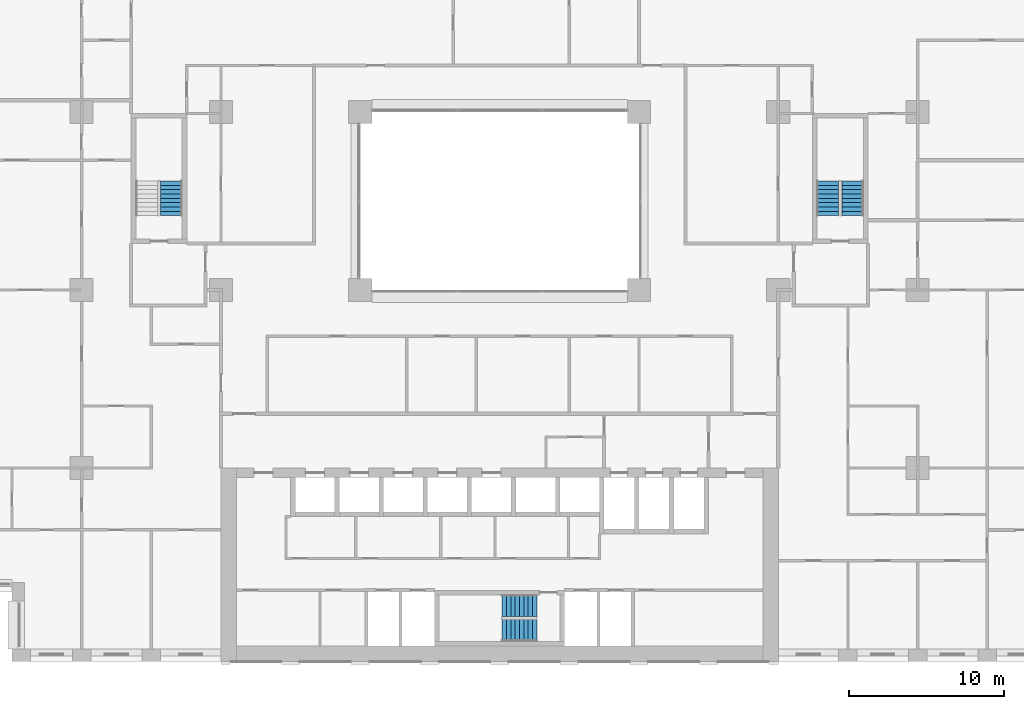
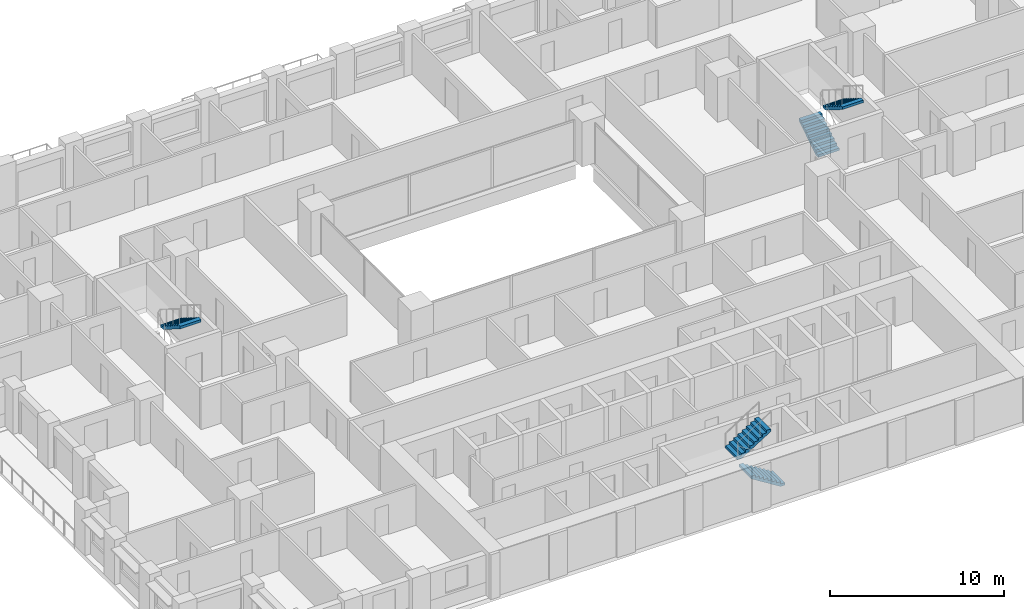
# One storey, part 19 of 21: 5 stair flights, 3 elements without a shape of their own.
"""IFC4 building model written with IfcOpenShell, lengths in metres."""

from ifc_helpers import new_model, si_unit, direction, frame, origin, place, context, subcontext, project, spatial, polyline, outline, extrude, material, type_object, element, aggregate, save


model = new_model("IFC4")

# Units and contexts
model_context = context("Model", 3, precision=1e-05, world=origin(), true_north=direction((0.0, 1.0)))
body_context = subcontext(model_context, "Body", "Model", "MODEL_VIEW")
ifc_project = project(units=[si_unit("LENGTHUNIT", "METRE"), si_unit("AREAUNIT", "SQUARE_METRE"), si_unit("VOLUMEUNIT", "CUBIC_METRE"), si_unit("PLANEANGLEUNIT", "RADIAN"), si_unit("MASSUNIT", "GRAM", prefix="KILO")], contexts=[model_context])

# Site, building, storey
site_placement = place(None, origin())
site = spatial("IfcSite", under=ifc_project, at=site_placement, CompositionType="ELEMENT")
building_placement = place(site_placement, origin())
building = spatial("IfcBuilding", under=site, at=building_placement, Name="Brigalow Station Residences", CompositionType="ELEMENT")
storey_placement = place(building_placement, frame((0.0, 0.0, 47.85009765625)))
storey = spatial("IfcBuildingStorey", under=building, at=storey_placement, Name="L13", CompositionType="ELEMENT", Elevation=47.85009765625)

# Stair, stair flights
ifc_material_1 = material(Name="Concrete C50", Category="concrete")
stair_type = type_object("IfcStairType", Name="EXIT STAIR 1400 2 FLIGHT", PredefinedType="HALF_TURN_STAIR", material=ifc_material_1)
stair_1_placement = place(storey_placement, origin())
stair_1 = element("IfcStair", 1, at=stair_1_placement, inside=storey, type_object=stair_type, Name="EXIT STAIR S2 L13", PredefinedType="HALF_TURN_STAIR")
ifc_material_2 = material(Name="Concrete C50", Category="concrete")
stair_flight_type = type_object("IfcStairFlightType", Name="STAIR FLIGHT 1400", PredefinedType="STRAIGHT", material=ifc_material_2)
stair_flight_1_placement = place(storey_placement, frame((38.39990234375, 2.0, 0.0), z_axis=(0.0, 0.0, 1.0), x_axis=(-1.0, 0.0, 0.0)))
stair_flight_1 = element("IfcStairFlight", 2, at=stair_flight_1_placement, type_object=stair_flight_type, Name="ST-2 flight 1", NumberOfRisers=9, NumberOfTreads=8, PredefinedType="STRAIGHT", RiserHeight=0.175, TreadLength=0.28, context=body_context, shape_type="SweptSolid", body=[
    extrude(outline(polyline([(0.0, 0.0), (0.0, 0.175048828125), (0.280029296875, 0.175048828125), (0.280029296875, 0.35009765625), (0.56005859375, 0.35009765625), (0.56005859375, 0.52490234375), (0.840087890625, 0.52490234375), (0.840087890625, 0.699951171875), (1.1201171875, 0.699951171875), (1.1201171875, 0.875), (1.39990234375, 0.875), (1.39990234375, 1.050048828125), (1.679931640625, 1.050048828125), (1.679931640625, 1.22509765625), (1.9599609375, 1.22509765625), (1.9599609375, 1.39990234375), (2.239990234375, 1.39990234375), (2.239990234375, 1.574951171875), (2.239990234375, 1.22314453125), (0.28271484375, 0.0), (0.0, 0.0)])), frame((0.0, 0.699951171875, 0.0), z_axis=(0.0, -1.0, 0.0), x_axis=(1.0, 0.0, 0.0)), (0.0, 0.0, 1.0), 1.39990234375),
])
stair_flight_2_placement = place(storey_placement, frame((36.159912109375, 3.60009765625, 1.574951171875), z_axis=(0.0, 0.0, 1.0), x_axis=(1.0, 0.0, 0.0)))
stair_flight_2 = element("IfcStairFlight", 3, at=stair_flight_2_placement, type_object=stair_flight_type, Name="ST-2 flight 2", NumberOfRisers=9, NumberOfTreads=8, PredefinedType="STRAIGHT", RiserHeight=0.175, TreadLength=0.28, context=body_context, shape_type="SweptSolid", body=[
    extrude(outline(polyline([(0.0, 0.0), (0.0, 0.175048828125), (0.280029296875, 0.175048828125), (0.280029296875, 0.35009765625), (0.56005859375, 0.35009765625), (0.56005859375, 0.52490234375), (0.840087890625, 0.52490234375), (0.840087890625, 0.699951171875), (1.1201171875, 0.699951171875), (1.1201171875, 0.875), (1.39990234375, 0.875), (1.39990234375, 1.050048828125), (1.679931640625, 1.050048828125), (1.679931640625, 1.22509765625), (1.9599609375, 1.22509765625), (1.9599609375, 1.39990234375), (2.239990234375, 1.39990234375), (2.239990234375, 1.574951171875), (2.239990234375, 1.22314453125), (0.28271484375, 0.0), (0.0, 0.0)])), frame((0.0, 0.699951171875, 0.0), z_axis=(0.0, -1.0, 0.0), x_axis=(1.0, 0.0, 0.0)), (0.0, 0.0, 1.0), 1.39990234375),
])
aggregate(stair_1, [stair_flight_1, stair_flight_2])

# Stair, stair flight
stair_2_placement = place(storey_placement, origin())
stair_2 = element("IfcStair", 4, at=stair_2_placement, inside=storey, type_object=stair_type, Name="EXIT STAIR S1 L13", PredefinedType="HALF_TURN_STAIR")
stair_flight_3_placement = place(storey_placement, frame((14.800048828125, 31.0400390625, 1.574951171875), z_axis=(0.0, 0.0, 1.0), x_axis=(0.0, -1.0, 0.0)))
stair_flight_3 = element("IfcStairFlight", 5, at=stair_flight_3_placement, type_object=stair_flight_type, Name="ST-1 flight 2", NumberOfRisers=9, NumberOfTreads=8, PredefinedType="STRAIGHT", RiserHeight=0.175, TreadLength=0.28, context=body_context, shape_type="SweptSolid", body=[
    extrude(outline(polyline([(0.0, 0.0), (0.0, 0.175048828125), (0.280029296875, 0.175048828125), (0.280029296875, 0.35009765625), (0.56005859375, 0.35009765625), (0.56005859375, 0.52490234375), (0.840087890625, 0.52490234375), (0.840087890625, 0.699951171875), (1.1201171875, 0.699951171875), (1.1201171875, 0.875), (1.39990234375, 0.875), (1.39990234375, 1.050048828125), (1.679931640625, 1.050048828125), (1.679931640625, 1.22509765625), (1.9599609375, 1.22509765625), (1.9599609375, 1.39990234375), (2.239990234375, 1.39990234375), (2.239990234375, 1.574951171875), (2.239990234375, 1.22314453125), (0.28271484375, 0.0), (0.0, 0.0)])), frame((0.0, 0.699951171875, 0.0), z_axis=(0.0, -1.0, 0.0), x_axis=(1.0, 0.0, 0.0)), (0.0, 0.0, 1.0), 1.39990234375),
])
aggregate(stair_2, [stair_flight_3])

# Stair, stair flights
stair_3_placement = place(storey_placement, origin())
stair_3 = element("IfcStair", 6, at=stair_3_placement, inside=storey, type_object=stair_type, Name="EXIT STAIR S3 L13", PredefinedType="HALF_TURN_STAIR")
stair_flight_4_placement = place(storey_placement, frame((57.199951171875, 28.800048828125, 0.0), z_axis=(0.0, 0.0, 1.0), x_axis=(0.0, 1.0, 0.0)))
stair_flight_4 = element("IfcStairFlight", 7, at=stair_flight_4_placement, type_object=stair_flight_type, Name="ST-3 flight 1", NumberOfRisers=9, NumberOfTreads=8, PredefinedType="STRAIGHT", RiserHeight=0.175, TreadLength=0.28, context=body_context, shape_type="SweptSolid", body=[
    extrude(outline(polyline([(0.0, 0.0), (0.0, 0.175048828125), (0.280029296875, 0.175048828125), (0.280029296875, 0.35009765625), (0.56005859375, 0.35009765625), (0.56005859375, 0.52490234375), (0.840087890625, 0.52490234375), (0.840087890625, 0.699951171875), (1.1201171875, 0.699951171875), (1.1201171875, 0.875), (1.39990234375, 0.875), (1.39990234375, 1.050048828125), (1.679931640625, 1.050048828125), (1.679931640625, 1.22509765625), (1.9599609375, 1.22509765625), (1.9599609375, 1.39990234375), (2.239990234375, 1.39990234375), (2.239990234375, 1.574951171875), (2.239990234375, 1.22314453125), (0.28271484375, 0.0), (0.0, 0.0)])), frame((0.0, 0.699951171875, 0.0), z_axis=(0.0, -1.0, 0.0), x_axis=(1.0, 0.0, 0.0)), (0.0, 0.0, 1.0), 1.39990234375),
])
stair_flight_5_placement = place(storey_placement, frame((58.800048828125, 31.0400390625, 1.574951171875), z_axis=(0.0, 0.0, 1.0), x_axis=(0.0, -1.0, 0.0)))
stair_flight_5 = element("IfcStairFlight", 8, at=stair_flight_5_placement, type_object=stair_flight_type, Name="ST-3 flight 2", NumberOfRisers=9, NumberOfTreads=8, PredefinedType="STRAIGHT", RiserHeight=0.175, TreadLength=0.28, context=body_context, shape_type="SweptSolid", body=[
    extrude(outline(polyline([(0.0, 0.0), (0.0, 0.175048828125), (0.280029296875, 0.175048828125), (0.280029296875, 0.35009765625), (0.56005859375, 0.35009765625), (0.56005859375, 0.52490234375), (0.840087890625, 0.52490234375), (0.840087890625, 0.699951171875), (1.1201171875, 0.699951171875), (1.1201171875, 0.875), (1.39990234375, 0.875), (1.39990234375, 1.050048828125), (1.679931640625, 1.050048828125), (1.679931640625, 1.22509765625), (1.9599609375, 1.22509765625), (1.9599609375, 1.39990234375), (2.239990234375, 1.39990234375), (2.239990234375, 1.574951171875), (2.239990234375, 1.22314453125), (0.28271484375, 0.0), (0.0, 0.0)])), frame((0.0, 0.699951171875, 0.0), z_axis=(0.0, -1.0, 0.0), x_axis=(1.0, 0.0, 0.0)), (0.0, 0.0, 1.0), 1.39990234375),
])
aggregate(stair_3, [stair_flight_4, stair_flight_5])

save(model, "model.ifc")
